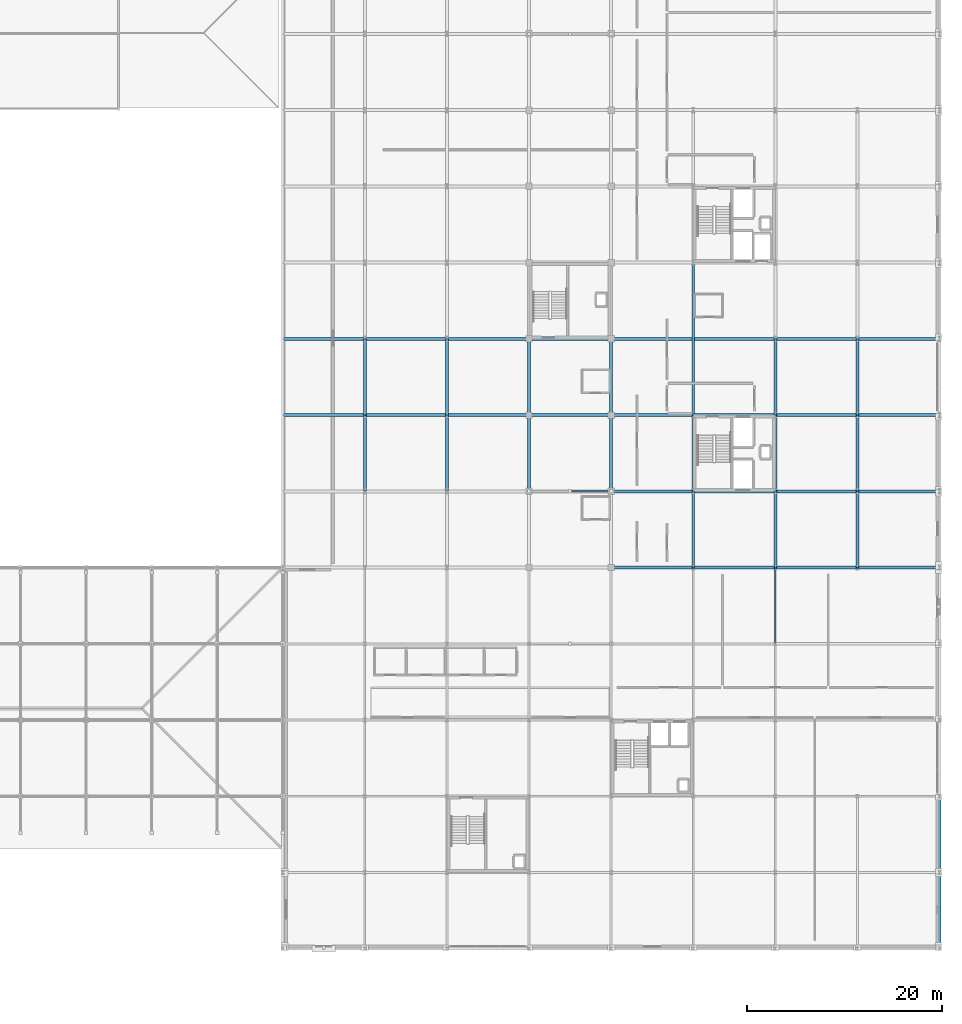
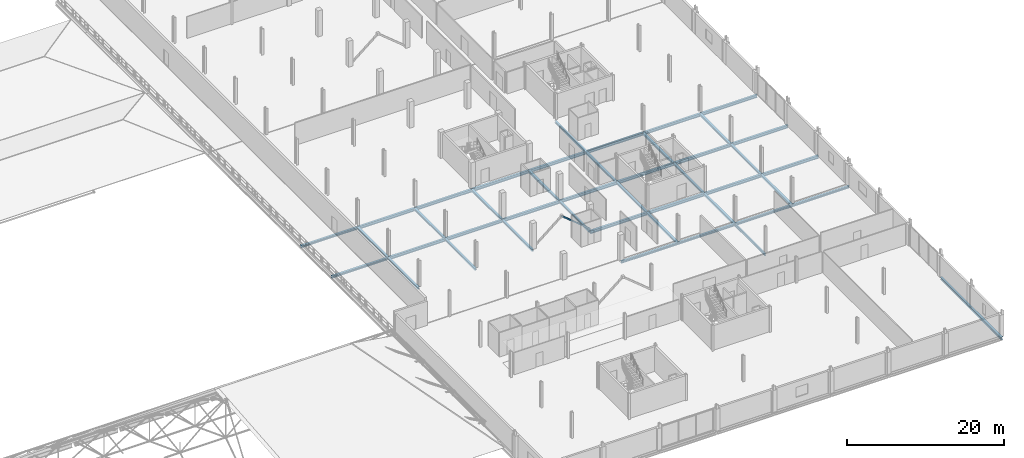
# One storey, part 40 of 77: 43 beams, 1 member.
"""IFC4 building model written with IfcOpenShell, lengths in metres."""

from ifc_helpers import new_model, si_unit, direction, frame, origin, origin_2d, place, context, subcontext, project, spatial, hollow_rectangle, i_section, extrude, material, material_profile, profile_set, type_object, element, save


model = new_model("IFC4")

# Units and contexts
model_context = context("Model", 3, precision=1e-05, world=origin(), true_north=direction((0.0, 1.0)))
body_context = subcontext(model_context, "Body", "Model", "MODEL_VIEW")
ifc_project = project(units=[si_unit("LENGTHUNIT", "METRE"), si_unit("AREAUNIT", "SQUARE_METRE"), si_unit("VOLUMEUNIT", "CUBIC_METRE"), si_unit("PLANEANGLEUNIT", "RADIAN"), si_unit("MASSUNIT", "GRAM", prefix="KILO")], contexts=[model_context])

# Site, building, storey
site_placement = place(None, origin())
site = spatial("IfcSite", under=ifc_project, at=site_placement, CompositionType="ELEMENT")
building_placement = place(site_placement, origin())
building = spatial("IfcBuilding", under=site, at=building_placement, Name="Nabrawat Pavilion Hospital", CompositionType="ELEMENT")
storey_placement = place(building_placement, frame((0.0, 0.0, 14.85009765625)))
storey = spatial("IfcBuildingStorey", under=building, at=storey_placement, Name="L03", CompositionType="ELEMENT", Elevation=14.85009765625)

# Beams
ifc_material = material(Name="Steel S355", Category="steel")
ifc_material_profile_1 = material_profile(ifc_material, i_section(OverallWidth=0.300048828125, OverallDepth=0.43994140625, WebThickness=0.011474609375, FlangeThickness=0.02099609375, FilletRadius=0.027099609375, at=origin_2d()), Name="HEA 450")
ifc_profile_set_1 = profile_set([ifc_material_profile_1], Name="Steel S355")
beam_type_1 = type_object("IfcBeamType", Name="Mid-Tier Ward Girder HEA 450", PredefinedType="USERDEFINED", material=ifc_profile_set_1)
for number, where, z_axis, x_axis, name in (
    (1, (159.6201171875, 46.800048828125, -0.460205078125), (1.0, 0.0, 0.0), (0.0, 1.0, 0.0), "L03 Primary X Girder 1487"),
    (2, (168.02001953125, 46.800048828125, -0.460205078125), (1.0, 0.0, 0.0), (0.0, 1.0, 0.0), "L03 Primary X Girder 1488"),
):
    element("IfcBeam", number, at=place(storey_placement, frame(where, z_axis=z_axis, x_axis=x_axis)), inside=storey, type_object=beam_type_1, Name=name, ObjectType="GIRDER", PredefinedType="USERDEFINED", context=body_context, shape_type="SweptSolid", body=[
        extrude(i_section(OverallWidth=0.300048828125, OverallDepth=0.43994140625, WebThickness=0.011474609375, FlangeThickness=0.02099609375, FilletRadius=0.027099609375, at=origin_2d()), origin(), (0.0, 0.0, 1.0), 8.35986328125),
    ])
beam_1_placement = place(storey_placement, frame((176.419921875, 46.800048828125, -0.460205078125), z_axis=(1.0, 0.0, 0.0), x_axis=(0.0, 1.0, 0.0)))
element("IfcBeam", 3, at=beam_1_placement, inside=storey, type_object=beam_type_1, Name="L03 Primary X Girder 1489", ObjectType="GIRDER", PredefinedType="USERDEFINED", context=body_context, shape_type="SweptSolid", body=[
    extrude(i_section(OverallWidth=0.300048828125, OverallDepth=0.43994140625, WebThickness=0.011474609375, FlangeThickness=0.02099609375, FilletRadius=0.027099609375, at=origin_2d()), origin(), (0.0, 0.0, 1.0), 8.360107421875),
])
beam_2_placement = place(storey_placement, frame((184.820068359375, 46.800048828125, -0.460205078125), z_axis=(1.0, 0.0, 0.0), x_axis=(0.0, 1.0, 0.0)))
element("IfcBeam", 4, at=beam_2_placement, inside=storey, type_object=beam_type_1, Name="L03 Primary X Girder 1490", ObjectType="GIRDER", PredefinedType="USERDEFINED", context=body_context, shape_type="SweptSolid", body=[
    extrude(i_section(OverallWidth=0.300048828125, OverallDepth=0.43994140625, WebThickness=0.011474609375, FlangeThickness=0.02099609375, FilletRadius=0.027099609375, at=origin_2d()), origin(), (0.0, 0.0, 1.0), 8.35986328125),
])
beam_3_placement = place(storey_placement, frame((134.419921875, 54.60009765625, -0.460205078125), z_axis=(1.0, 0.0, 0.0), x_axis=(0.0, 1.0, 0.0)))
element("IfcBeam", 5, at=beam_3_placement, inside=storey, type_object=beam_type_1, Name="L03 Primary X Girder 1495", ObjectType="GIRDER", PredefinedType="USERDEFINED", context=body_context, shape_type="SweptSolid", body=[
    extrude(i_section(OverallWidth=0.300048828125, OverallDepth=0.43994140625, WebThickness=0.011474609375, FlangeThickness=0.02099609375, FilletRadius=0.027099609375, at=origin_2d()), origin(), (0.0, 0.0, 1.0), 8.360107421875),
])
beam_4_placement = place(storey_placement, frame((142.820068359375, 54.60009765625, -0.460205078125), z_axis=(1.0, 0.0, 0.0), x_axis=(0.0, 1.0, 0.0)))
element("IfcBeam", 6, at=beam_4_placement, inside=storey, type_object=beam_type_1, Name="L03 Primary X Girder 1496", ObjectType="GIRDER", PredefinedType="USERDEFINED", context=body_context, shape_type="SweptSolid", body=[
    extrude(i_section(OverallWidth=0.300048828125, OverallDepth=0.43994140625, WebThickness=0.011474609375, FlangeThickness=0.02099609375, FilletRadius=0.027099609375, at=origin_2d()), origin(), (0.0, 0.0, 1.0), 8.35986328125),
])
beam_5_placement = place(storey_placement, frame((151.219970703125, 54.60009765625, -0.460205078125), z_axis=(1.0, 0.0, 0.0), x_axis=(0.0, 1.0, 0.0)))
element("IfcBeam", 7, at=beam_5_placement, inside=storey, type_object=beam_type_1, Name="L03 Primary X Girder 1497", ObjectType="GIRDER", PredefinedType="USERDEFINED", context=body_context, shape_type="SweptSolid", body=[
    extrude(i_section(OverallWidth=0.300048828125, OverallDepth=0.43994140625, WebThickness=0.011474609375, FlangeThickness=0.02099609375, FilletRadius=0.027099609375, at=origin_2d()), origin(), (0.0, 0.0, 1.0), 8.360107421875),
])
for number, where, z_axis, x_axis, name in (
    (8, (159.6201171875, 54.60009765625, -0.460205078125), (1.0, 0.0, 0.0), (0.0, 1.0, 0.0), "L03 Primary X Girder 1498"),
    (9, (168.02001953125, 54.60009765625, -0.460205078125), (1.0, 0.0, 0.0), (0.0, 1.0, 0.0), "L03 Primary X Girder 1499"),
):
    element("IfcBeam", number, at=place(storey_placement, frame(where, z_axis=z_axis, x_axis=x_axis)), inside=storey, type_object=beam_type_1, Name=name, ObjectType="GIRDER", PredefinedType="USERDEFINED", context=body_context, shape_type="SweptSolid", body=[
        extrude(i_section(OverallWidth=0.300048828125, OverallDepth=0.43994140625, WebThickness=0.011474609375, FlangeThickness=0.02099609375, FilletRadius=0.027099609375, at=origin_2d()), origin(), (0.0, 0.0, 1.0), 8.35986328125),
    ])
beam_6_placement = place(storey_placement, frame((176.419921875, 54.60009765625, -0.460205078125), z_axis=(1.0, 0.0, 0.0), x_axis=(0.0, 1.0, 0.0)))
element("IfcBeam", 10, at=beam_6_placement, inside=storey, type_object=beam_type_1, Name="L03 Primary X Girder 1500", ObjectType="GIRDER", PredefinedType="USERDEFINED", context=body_context, shape_type="SweptSolid", body=[
    extrude(i_section(OverallWidth=0.300048828125, OverallDepth=0.43994140625, WebThickness=0.011474609375, FlangeThickness=0.02099609375, FilletRadius=0.027099609375, at=origin_2d()), origin(), (0.0, 0.0, 1.0), 8.360107421875),
])
beam_7_placement = place(storey_placement, frame((184.820068359375, 54.60009765625, -0.460205078125), z_axis=(1.0, 0.0, 0.0), x_axis=(0.0, 1.0, 0.0)))
element("IfcBeam", 11, at=beam_7_placement, inside=storey, type_object=beam_type_1, Name="L03 Primary X Girder 1501", ObjectType="GIRDER", PredefinedType="USERDEFINED", context=body_context, shape_type="SweptSolid", body=[
    extrude(i_section(OverallWidth=0.300048828125, OverallDepth=0.43994140625, WebThickness=0.011474609375, FlangeThickness=0.02099609375, FilletRadius=0.027099609375, at=origin_2d()), origin(), (0.0, 0.0, 1.0), 8.35986328125),
])
beam_8_placement = place(storey_placement, frame((134.419921875, 62.39990234375, -0.460205078125), z_axis=(1.0, 0.0, 0.0), x_axis=(0.0, 1.0, 0.0)))
element("IfcBeam", 12, at=beam_8_placement, inside=storey, type_object=beam_type_1, Name="L03 Primary X Girder 1506", ObjectType="GIRDER", PredefinedType="USERDEFINED", context=body_context, shape_type="SweptSolid", body=[
    extrude(i_section(OverallWidth=0.300048828125, OverallDepth=0.43994140625, WebThickness=0.011474609375, FlangeThickness=0.02099609375, FilletRadius=0.027099609375, at=origin_2d()), origin(), (0.0, 0.0, 1.0), 8.360107421875),
])
beam_9_placement = place(storey_placement, frame((142.820068359375, 62.39990234375, -0.460205078125), z_axis=(1.0, 0.0, 0.0), x_axis=(0.0, 1.0, 0.0)))
element("IfcBeam", 13, at=beam_9_placement, inside=storey, type_object=beam_type_1, Name="L03 Primary X Girder 1507", ObjectType="GIRDER", PredefinedType="USERDEFINED", context=body_context, shape_type="SweptSolid", body=[
    extrude(i_section(OverallWidth=0.300048828125, OverallDepth=0.43994140625, WebThickness=0.011474609375, FlangeThickness=0.02099609375, FilletRadius=0.027099609375, at=origin_2d()), origin(), (0.0, 0.0, 1.0), 8.35986328125),
])
beam_10_placement = place(storey_placement, frame((151.219970703125, 62.39990234375, -0.460205078125), z_axis=(1.0, 0.0, 0.0), x_axis=(0.0, 1.0, 0.0)))
element("IfcBeam", 14, at=beam_10_placement, inside=storey, type_object=beam_type_1, Name="L03 Primary X Girder 1508", ObjectType="GIRDER", PredefinedType="USERDEFINED", context=body_context, shape_type="SweptSolid", body=[
    extrude(i_section(OverallWidth=0.300048828125, OverallDepth=0.43994140625, WebThickness=0.011474609375, FlangeThickness=0.02099609375, FilletRadius=0.027099609375, at=origin_2d()), origin(), (0.0, 0.0, 1.0), 8.360107421875),
])
beam_11_placement = place(storey_placement, frame((159.6201171875, 62.39990234375, -0.460205078125), z_axis=(1.0, 0.0, 0.0), x_axis=(0.0, 1.0, 0.0)))
element("IfcBeam", 15, at=beam_11_placement, inside=storey, type_object=beam_type_1, Name="L03 Primary X Girder 1509", ObjectType="GIRDER", PredefinedType="USERDEFINED", context=body_context, shape_type="SweptSolid", body=[
    extrude(i_section(OverallWidth=0.300048828125, OverallDepth=0.43994140625, WebThickness=0.011474609375, FlangeThickness=0.02099609375, FilletRadius=0.027099609375, at=origin_2d()), origin(), (0.0, 0.0, 1.0), 16.759765625),
])
beam_12_placement = place(storey_placement, frame((176.419921875, 62.39990234375, -0.460205078125), z_axis=(1.0, 0.0, 0.0), x_axis=(0.0, 1.0, 0.0)))
element("IfcBeam", 16, at=beam_12_placement, inside=storey, type_object=beam_type_1, Name="L03 Primary X Girder 1510", ObjectType="GIRDER", PredefinedType="USERDEFINED", context=body_context, shape_type="SweptSolid", body=[
    extrude(i_section(OverallWidth=0.300048828125, OverallDepth=0.43994140625, WebThickness=0.011474609375, FlangeThickness=0.02099609375, FilletRadius=0.027099609375, at=origin_2d()), origin(), (0.0, 0.0, 1.0), 8.360107421875),
])
beam_13_placement = place(storey_placement, frame((184.820068359375, 62.39990234375, -0.460205078125), z_axis=(1.0, 0.0, 0.0), x_axis=(0.0, 1.0, 0.0)))
element("IfcBeam", 17, at=beam_13_placement, inside=storey, type_object=beam_type_1, Name="L03 Primary X Girder 1511", ObjectType="GIRDER", PredefinedType="USERDEFINED", context=body_context, shape_type="SweptSolid", body=[
    extrude(i_section(OverallWidth=0.300048828125, OverallDepth=0.43994140625, WebThickness=0.011474609375, FlangeThickness=0.02099609375, FilletRadius=0.027099609375, at=origin_2d()), origin(), (0.0, 0.0, 1.0), 8.35986328125),
])
ifc_material_profile_2 = material_profile(ifc_material, i_section(OverallWidth=0.300048828125, OverallDepth=0.389892578125, WebThickness=0.010986328125, FlangeThickness=0.01904296875, FilletRadius=0.027099609375, at=origin_2d()), Name="HEA 400")
ifc_profile_set_2 = profile_set([ifc_material_profile_2], Name="Steel S355")
beam_type_2 = type_object("IfcBeamType", Name="Perimeter Moment Spandrel Beam HEA 400", PredefinedType="SPANDREL", material=ifc_profile_set_2)
for number, where, z_axis, x_axis, name in (
    (18, (193.199951171875, 0.02001953125, -0.425048828125), (0.0, 1.0, 0.0), (-1.0, 0.0, 0.0), "L03 Primary Y Beam 1737"),
    (19, (193.199951171875, 7.820068359375, -0.425048828125), (0.0, 1.0, 0.0), (-1.0, 0.0, 0.0), "L03 Primary Y Beam 1738"),
):
    element("IfcBeam", number, at=place(storey_placement, frame(where, z_axis=z_axis, x_axis=x_axis)), inside=storey, type_object=beam_type_2, Name=name, PredefinedType="SPANDREL", context=body_context, shape_type="SweptSolid", body=[
        extrude(i_section(OverallWidth=0.300048828125, OverallDepth=0.389892578125, WebThickness=0.010986328125, FlangeThickness=0.01904296875, FilletRadius=0.027099609375, at=origin_2d()), origin(), (0.0, 0.0, 1.0), 7.760009765625),
    ])
ifc_material_profile_3 = material_profile(ifc_material, i_section(OverallWidth=0.179931640625, OverallDepth=0.39990234375, WebThickness=0.008544921875, FlangeThickness=0.013427734375, FilletRadius=0.02099609375, at=origin_2d()), Name="IPE 400")
ifc_profile_set_3 = profile_set([ifc_material_profile_3], Name="Steel S355")
beam_type_3 = type_object("IfcBeamType", Name="Standard Y Floor Beam IPE 400", PredefinedType="BEAM", material=ifc_profile_set_3)
beam_14_placement = place(storey_placement, frame((176.39990234375, 31.219970703125, -0.43017578125), z_axis=(0.0, 1.0, 0.0), x_axis=(-1.0, 0.0, 0.0)))
element("IfcBeam", 20, at=beam_14_placement, inside=storey, type_object=beam_type_3, Name="L03 Primary Y Beam 1717", PredefinedType="BEAM", context=body_context, shape_type="SweptSolid", body=[
    extrude(i_section(OverallWidth=0.179931640625, OverallDepth=0.39990234375, WebThickness=0.008544921875, FlangeThickness=0.013427734375, FilletRadius=0.02099609375, at=origin_2d()), origin(), (0.0, 0.0, 1.0), 7.760009765625),
])

# Member
ifc_material_profile_4 = material_profile(ifc_material, hollow_rectangle(XDim=0.179931640625, YDim=0.179931640625, WallThickness=0.010009765625, at=origin_2d()), Name="SHS 180x180x10")
ifc_profile_set_4 = profile_set([ifc_material_profile_4], Name="Steel S355")
member_type = type_object("IfcMemberType", Name="Upper Seismic Chevron Brace SHS 180x180x10", PredefinedType="BRACE", material=ifc_profile_set_4)
member_placement = place(storey_placement, frame((159.60009765625, 46.800048828125, 0.0498046875), z_axis=(-0.772723107365, 0.0, 0.634743254666), x_axis=(0.0, -1.0, 0.0)))
element("IfcMember", 21, at=member_placement, inside=storey, type_object=member_type, Name="L03 Seismic Concentric Chevron Brace 056", PredefinedType="BRACE", context=body_context, shape_type="SweptSolid", body=[
    extrude(hollow_rectangle(XDim=0.179931640625, YDim=0.179931640625, WallThickness=0.010009765625, at=origin_2d()), origin(), (0.0, 0.0, 1.0), 5.435546875),
])

# Beams
ifc_material_profile_5 = material_profile(ifc_material, i_section(OverallWidth=0.300048828125, OverallDepth=0.340087890625, WebThickness=0.011962890625, FlangeThickness=0.021484375, FilletRadius=0.027099609375, at=origin_2d()), Name="HEB 340")
ifc_profile_set_5 = profile_set([ifc_material_profile_5], Name="Steel S355")
beam_type_4 = type_object("IfcBeamType", Name="Ward Perimeter Spandrel Beam HEB 340", PredefinedType="SPANDREL", material=ifc_profile_set_5)
for number, where, z_axis, x_axis, name in (
    (22, (159.6201171875, 39.0, -0.41015625), (1.0, 0.0, 0.0), (0.0, 1.0, 0.0), "L03 Primary X Girder 1478"),
    (23, (168.02001953125, 39.0, -0.41015625), (1.0, 0.0, 0.0), (0.0, 1.0, 0.0), "L03 Primary X Girder 1479"),
):
    element("IfcBeam", number, at=place(storey_placement, frame(where, z_axis=z_axis, x_axis=x_axis)), inside=storey, type_object=beam_type_4, Name=name, PredefinedType="SPANDREL", context=body_context, shape_type="SweptSolid", body=[
        extrude(i_section(OverallWidth=0.300048828125, OverallDepth=0.340087890625, WebThickness=0.011962890625, FlangeThickness=0.021484375, FilletRadius=0.027099609375, at=origin_2d()), origin(), (0.0, 0.0, 1.0), 8.35986328125),
    ])
beam_15_placement = place(storey_placement, frame((176.419921875, 39.0, -0.41015625), z_axis=(1.0, 0.0, 0.0), x_axis=(0.0, 1.0, 0.0)))
element("IfcBeam", 24, at=beam_15_placement, inside=storey, type_object=beam_type_4, Name="L03 Primary X Girder 1480", PredefinedType="SPANDREL", context=body_context, shape_type="SweptSolid", body=[
    extrude(i_section(OverallWidth=0.300048828125, OverallDepth=0.340087890625, WebThickness=0.011962890625, FlangeThickness=0.021484375, FilletRadius=0.027099609375, at=origin_2d()), origin(), (0.0, 0.0, 1.0), 8.360107421875),
])
for number, where, z_axis, x_axis, name in (
    (25, (184.820068359375, 39.0, -0.41015625), (1.0, 0.0, 0.0), (0.0, 1.0, 0.0), "L03 Primary X Girder 1481"),
    (26, (126.02001953125, 54.60009765625, -0.420166015625), (1.0, 0.0, 0.0), (0.0, 1.0, 0.0), "L03 Primary X Girder 1494"),
    (27, (126.02001953125, 62.39990234375, -0.420166015625), (1.0, 0.0, 0.0), (0.0, 1.0, 0.0), "L03 Primary X Girder 1505"),
):
    element("IfcBeam", number, at=place(storey_placement, frame(where, z_axis=z_axis, x_axis=x_axis)), inside=storey, type_object=beam_type_4, Name=name, PredefinedType="SPANDREL", context=body_context, shape_type="SweptSolid", body=[
        extrude(i_section(OverallWidth=0.300048828125, OverallDepth=0.340087890625, WebThickness=0.011962890625, FlangeThickness=0.021484375, FilletRadius=0.027099609375, at=origin_2d()), origin(), (0.0, 0.0, 1.0), 8.35986328125),
    ])
ifc_material_profile_6 = material_profile(ifc_material, i_section(OverallWidth=0.300048828125, OverallDepth=0.31005859375, WebThickness=0.009033203125, FlangeThickness=0.015380859375, FilletRadius=0.027099609375, at=origin_2d()), Name="HEA 320")
ifc_profile_set_6 = profile_set([ifc_material_profile_6], Name="Steel S355")
beam_type_5 = type_object("IfcBeamType", Name="Ward Spine Beam HEA 320", PredefinedType="BEAM", material=ifc_profile_set_6)
beam_16_placement = place(storey_placement, frame((134.39990234375, 46.820068359375, -0.39501953125), z_axis=(0.0, 1.0, 0.0), x_axis=(-1.0, 0.0, 0.0)))
element("IfcBeam", 28, at=beam_16_placement, inside=storey, type_object=beam_type_5, Name="L03 Primary Y Beam 1646", PredefinedType="BEAM", context=body_context, shape_type="SweptSolid", body=[
    extrude(i_section(OverallWidth=0.300048828125, OverallDepth=0.31005859375, WebThickness=0.009033203125, FlangeThickness=0.015380859375, FilletRadius=0.027099609375, at=origin_2d()), origin(), (0.0, 0.0, 1.0), 7.760009765625),
])
beam_17_placement = place(storey_placement, frame((134.39990234375, 54.6201171875, -0.39501953125), z_axis=(0.0, 1.0, 0.0), x_axis=(-1.0, 0.0, 0.0)))
element("IfcBeam", 29, at=beam_17_placement, inside=storey, type_object=beam_type_5, Name="L03 Primary Y Beam 1647", PredefinedType="BEAM", context=body_context, shape_type="SweptSolid", body=[
    extrude(i_section(OverallWidth=0.300048828125, OverallDepth=0.31005859375, WebThickness=0.009033203125, FlangeThickness=0.015380859375, FilletRadius=0.027099609375, at=origin_2d()), origin(), (0.0, 0.0, 1.0), 7.759765625),
])
beam_18_placement = place(storey_placement, frame((142.800048828125, 46.820068359375, -0.39501953125), z_axis=(0.0, 1.0, 0.0), x_axis=(-1.0, 0.0, 0.0)))
element("IfcBeam", 30, at=beam_18_placement, inside=storey, type_object=beam_type_5, Name="L03 Primary Y Beam 1662", PredefinedType="BEAM", context=body_context, shape_type="SweptSolid", body=[
    extrude(i_section(OverallWidth=0.300048828125, OverallDepth=0.31005859375, WebThickness=0.009033203125, FlangeThickness=0.015380859375, FilletRadius=0.027099609375, at=origin_2d()), origin(), (0.0, 0.0, 1.0), 7.760009765625),
])
beam_19_placement = place(storey_placement, frame((142.800048828125, 54.6201171875, -0.39501953125), z_axis=(0.0, 1.0, 0.0), x_axis=(-1.0, 0.0, 0.0)))
element("IfcBeam", 31, at=beam_19_placement, inside=storey, type_object=beam_type_5, Name="L03 Primary Y Beam 1663", PredefinedType="BEAM", context=body_context, shape_type="SweptSolid", body=[
    extrude(i_section(OverallWidth=0.300048828125, OverallDepth=0.31005859375, WebThickness=0.009033203125, FlangeThickness=0.015380859375, FilletRadius=0.027099609375, at=origin_2d()), origin(), (0.0, 0.0, 1.0), 7.759765625),
])
beam_20_placement = place(storey_placement, frame((151.199951171875, 46.820068359375, -0.39501953125), z_axis=(0.0, 1.0, 0.0), x_axis=(-1.0, 0.0, 0.0)))
element("IfcBeam", 32, at=beam_20_placement, inside=storey, type_object=beam_type_5, Name="L03 Primary Y Beam 1678", PredefinedType="BEAM", context=body_context, shape_type="SweptSolid", body=[
    extrude(i_section(OverallWidth=0.300048828125, OverallDepth=0.31005859375, WebThickness=0.009033203125, FlangeThickness=0.015380859375, FilletRadius=0.027099609375, at=origin_2d()), origin(), (0.0, 0.0, 1.0), 7.760009765625),
])
beam_21_placement = place(storey_placement, frame((151.199951171875, 54.6201171875, -0.39501953125), z_axis=(0.0, 1.0, 0.0), x_axis=(-1.0, 0.0, 0.0)))
element("IfcBeam", 33, at=beam_21_placement, inside=storey, type_object=beam_type_5, Name="L03 Primary Y Beam 1679", PredefinedType="BEAM", context=body_context, shape_type="SweptSolid", body=[
    extrude(i_section(OverallWidth=0.300048828125, OverallDepth=0.31005859375, WebThickness=0.009033203125, FlangeThickness=0.015380859375, FilletRadius=0.027099609375, at=origin_2d()), origin(), (0.0, 0.0, 1.0), 7.759765625),
])
beam_22_placement = place(storey_placement, frame((159.60009765625, 46.820068359375, -0.39501953125), z_axis=(0.0, 1.0, 0.0), x_axis=(-1.0, 0.0, 0.0)))
element("IfcBeam", 34, at=beam_22_placement, inside=storey, type_object=beam_type_5, Name="L03 Primary Y Beam 1694", PredefinedType="BEAM", context=body_context, shape_type="SweptSolid", body=[
    extrude(i_section(OverallWidth=0.300048828125, OverallDepth=0.31005859375, WebThickness=0.009033203125, FlangeThickness=0.015380859375, FilletRadius=0.027099609375, at=origin_2d()), origin(), (0.0, 0.0, 1.0), 7.760009765625),
])
beam_23_placement = place(storey_placement, frame((159.60009765625, 54.6201171875, -0.39501953125), z_axis=(0.0, 1.0, 0.0), x_axis=(-1.0, 0.0, 0.0)))
element("IfcBeam", 35, at=beam_23_placement, inside=storey, type_object=beam_type_5, Name="L03 Primary Y Beam 1695", PredefinedType="BEAM", context=body_context, shape_type="SweptSolid", body=[
    extrude(i_section(OverallWidth=0.300048828125, OverallDepth=0.31005859375, WebThickness=0.009033203125, FlangeThickness=0.015380859375, FilletRadius=0.027099609375, at=origin_2d()), origin(), (0.0, 0.0, 1.0), 7.759765625),
])
for number, where, z_axis, x_axis, name in (
    (36, (168.0, 39.02001953125, -0.39501953125), (0.0, 1.0, 0.0), (-1.0, 0.0, 0.0), "L03 Primary Y Beam 1707"),
    (37, (168.0, 46.820068359375, -0.39501953125), (0.0, 1.0, 0.0), (-1.0, 0.0, 0.0), "L03 Primary Y Beam 1708"),
):
    element("IfcBeam", number, at=place(storey_placement, frame(where, z_axis=z_axis, x_axis=x_axis)), inside=storey, type_object=beam_type_5, Name=name, PredefinedType="BEAM", context=body_context, shape_type="SweptSolid", body=[
        extrude(i_section(OverallWidth=0.300048828125, OverallDepth=0.31005859375, WebThickness=0.009033203125, FlangeThickness=0.015380859375, FilletRadius=0.027099609375, at=origin_2d()), origin(), (0.0, 0.0, 1.0), 7.760009765625),
    ])
beam_24_placement = place(storey_placement, frame((168.0, 54.6201171875, -0.39501953125), z_axis=(0.0, 1.0, 0.0), x_axis=(-1.0, 0.0, 0.0)))
element("IfcBeam", 38, at=beam_24_placement, inside=storey, type_object=beam_type_5, Name="L03 Primary Y Beam 1709", PredefinedType="BEAM", context=body_context, shape_type="SweptSolid", body=[
    extrude(i_section(OverallWidth=0.300048828125, OverallDepth=0.31005859375, WebThickness=0.009033203125, FlangeThickness=0.015380859375, FilletRadius=0.027099609375, at=origin_2d()), origin(), (0.0, 0.0, 1.0), 15.559814453125),
])
for number, where, z_axis, x_axis, name in (
    (39, (176.39990234375, 39.02001953125, -0.39501953125), (0.0, 1.0, 0.0), (-1.0, 0.0, 0.0), "L03 Primary Y Beam 1718"),
    (40, (176.39990234375, 46.820068359375, -0.39501953125), (0.0, 1.0, 0.0), (-1.0, 0.0, 0.0), "L03 Primary Y Beam 1719"),
):
    element("IfcBeam", number, at=place(storey_placement, frame(where, z_axis=z_axis, x_axis=x_axis)), inside=storey, type_object=beam_type_5, Name=name, PredefinedType="BEAM", context=body_context, shape_type="SweptSolid", body=[
        extrude(i_section(OverallWidth=0.300048828125, OverallDepth=0.31005859375, WebThickness=0.009033203125, FlangeThickness=0.015380859375, FilletRadius=0.027099609375, at=origin_2d()), origin(), (0.0, 0.0, 1.0), 7.760009765625),
    ])
beam_25_placement = place(storey_placement, frame((176.39990234375, 54.6201171875, -0.39501953125), z_axis=(0.0, 1.0, 0.0), x_axis=(-1.0, 0.0, 0.0)))
element("IfcBeam", 41, at=beam_25_placement, inside=storey, type_object=beam_type_5, Name="L03 Primary Y Beam 1720", PredefinedType="BEAM", context=body_context, shape_type="SweptSolid", body=[
    extrude(i_section(OverallWidth=0.300048828125, OverallDepth=0.31005859375, WebThickness=0.009033203125, FlangeThickness=0.015380859375, FilletRadius=0.027099609375, at=origin_2d()), origin(), (0.0, 0.0, 1.0), 7.759765625),
])
for number, where, z_axis, x_axis, name in (
    (42, (184.800048828125, 39.02001953125, -0.39501953125), (0.0, 1.0, 0.0), (-1.0, 0.0, 0.0), "L03 Primary Y Beam 1730"),
    (43, (184.800048828125, 46.820068359375, -0.39501953125), (0.0, 1.0, 0.0), (-1.0, 0.0, 0.0), "L03 Primary Y Beam 1731"),
):
    element("IfcBeam", number, at=place(storey_placement, frame(where, z_axis=z_axis, x_axis=x_axis)), inside=storey, type_object=beam_type_5, Name=name, PredefinedType="BEAM", context=body_context, shape_type="SweptSolid", body=[
        extrude(i_section(OverallWidth=0.300048828125, OverallDepth=0.31005859375, WebThickness=0.009033203125, FlangeThickness=0.015380859375, FilletRadius=0.027099609375, at=origin_2d()), origin(), (0.0, 0.0, 1.0), 7.760009765625),
    ])
beam_26_placement = place(storey_placement, frame((184.800048828125, 54.6201171875, -0.39501953125), z_axis=(0.0, 1.0, 0.0), x_axis=(-1.0, 0.0, 0.0)))
element("IfcBeam", 44, at=beam_26_placement, inside=storey, type_object=beam_type_5, Name="L03 Primary Y Beam 1732", PredefinedType="BEAM", context=body_context, shape_type="SweptSolid", body=[
    extrude(i_section(OverallWidth=0.300048828125, OverallDepth=0.31005859375, WebThickness=0.009033203125, FlangeThickness=0.015380859375, FilletRadius=0.027099609375, at=origin_2d()), origin(), (0.0, 0.0, 1.0), 7.759765625),
])

save(model, "model.ifc")
